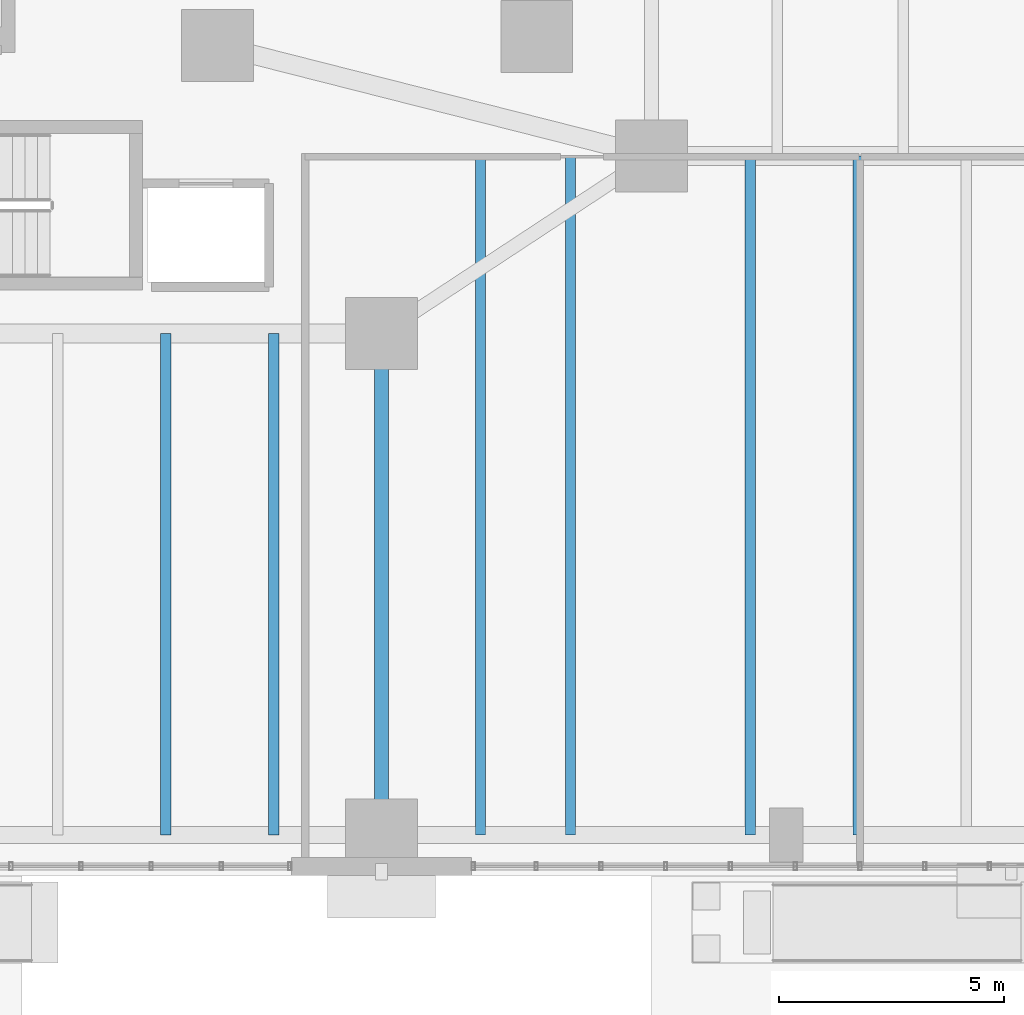
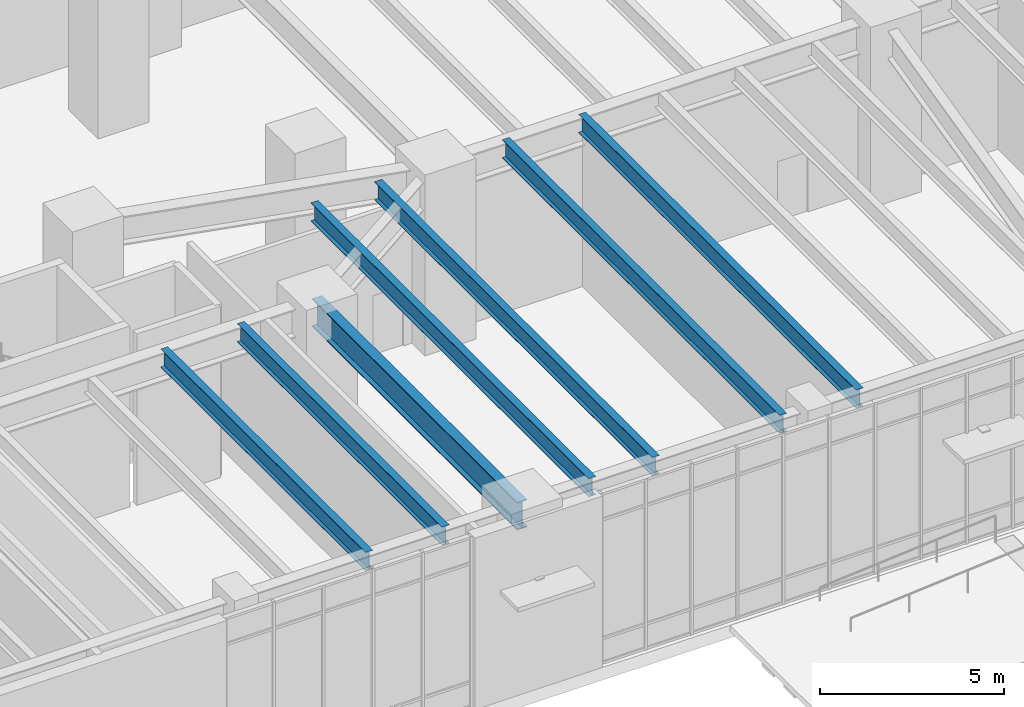
# One storey, part 6 of 28: 7 beams.
"""IFC4 building model written with IfcOpenShell, lengths in metres."""

from ifc_helpers import new_model, si_unit, direction, frame, origin, origin_2d, place, context, subcontext, project, spatial, i_section, extrude, material, material_profile, profile_set, type_object, element, save


model = new_model("IFC4")

# Units and contexts
model_context = context("Model", 3, precision=1e-05, world=origin(), true_north=direction((0.0, 1.0)))
body_context = subcontext(model_context, "Body", "Model", "MODEL_VIEW")
ifc_project = project(units=[si_unit("LENGTHUNIT", "METRE"), si_unit("AREAUNIT", "SQUARE_METRE"), si_unit("VOLUMEUNIT", "CUBIC_METRE"), si_unit("PLANEANGLEUNIT", "RADIAN"), si_unit("MASSUNIT", "GRAM", prefix="KILO"), si_unit("THERMODYNAMICTEMPERATUREUNIT", "KELVIN"), si_unit("POWERUNIT", "WATT")], contexts=[model_context])

# Site, building, storey
site_placement = place(None, origin())
site = spatial("IfcSite", under=ifc_project, at=site_placement, CompositionType="ELEMENT")
building_placement = place(site_placement, origin())
building = spatial("IfcBuilding", under=site, at=building_placement, Name="Skarre Station Tower", CompositionType="ELEMENT")
storey_placement = place(building_placement, origin())
storey = spatial("IfcBuildingStorey", under=building, at=storey_placement, Name="L01", CompositionType="ELEMENT", Elevation=0.0)

# Beams
ifc_material = material(Name="Steel ASTM A992 Grade 50", Category="steel")
ifc_material_profile_1 = material_profile(ifc_material, i_section(OverallWidth=0.30810546875, OverallDepth=0.927001953125, WebThickness=0.01904296875, FlangeThickness=0.031982421875, at=origin_2d()), Name="Steel ASTM A992 Grade 50")
ifc_profile_set_1 = profile_set([ifc_material_profile_1], Name="Steel ASTM A992 Grade 50")
beam_type_1 = type_object("IfcBeamType", Name="Steel Beam W36X194", PredefinedType="BEAM", material=ifc_profile_set_1)
beam_placement = place(storey_placement, frame((36.0, 0.89990234375, 5.22705078125), z_axis=(0.0, 1.0, 0.0), x_axis=(-1.0, 0.0, 0.0)))
element("IfcBeam", 1, at=beam_placement, inside=storey, type_object=beam_type_1, Name="L01 Concourse Transverse Girder NS3", PredefinedType="BEAM", context=body_context, shape_type="SweptSolid", body=[
    extrude(i_section(OverallWidth=0.30810546875, OverallDepth=0.927001953125, WebThickness=0.01904296875, FlangeThickness=0.031982421875, at=origin_2d()), origin(), (0.0, 0.0, 1.0), 11.150146484375),
])
ifc_material_profile_2 = material_profile(ifc_material, i_section(OverallWidth=0.22802734375, OverallDepth=0.60791015625, WebThickness=0.010986328125, FlangeThickness=0.01708984375, at=origin_2d()), Name="Steel ASTM A992 Grade 50")
ifc_profile_set_2 = profile_set([ifc_material_profile_2], Name="Steel ASTM A992 Grade 50")
beam_type_2 = type_object("IfcBeamType", Name="Steel Joist W24X76", PredefinedType="JOIST", material=ifc_profile_set_2)
for number, where, z_axis, x_axis, name in (
    (2, (31.199951171875, 0.89990234375, 5.385986328125), (0.0, 1.0, 0.0), (-1.0, 0.0, 0.0), "L01 South Bay Joist 12"),
    (3, (33.60009765625, 0.89990234375, 5.385986328125), (0.0, 1.0, 0.0), (-1.0, 0.0, 0.0), "L01 South Bay Joist 13"),
):
    element("IfcBeam", number, at=place(storey_placement, frame(where, z_axis=z_axis, x_axis=x_axis)), inside=storey, type_object=beam_type_2, Name=name, PredefinedType="JOIST", context=body_context, shape_type="SweptSolid", body=[
        extrude(i_section(OverallWidth=0.22802734375, OverallDepth=0.60791015625, WebThickness=0.010986328125, FlangeThickness=0.01708984375, at=origin_2d()), origin(), (0.0, 0.0, 1.0), 11.150146484375),
    ])
for number, where, z_axis, x_axis, name in (
    (4, (38.199951171875, 0.89990234375, 5.385986328125), (0.0, 1.0, 0.0), (-1.0, 0.0, 0.0), "L01 South Bay Joist 14"),
    (5, (40.199951171875, 0.89990234375, 5.385986328125), (0.0, 1.0, 0.0), (-1.0, 0.0, 0.0), "L01 South Bay Joist 15"),
    (6, (44.199951171875, 0.89990234375, 5.385986328125), (0.0, 1.0, 0.0), (-1.0, 0.0, 0.0), "L01 South Bay Joist 16"),
    (7, (46.60009765625, 0.89990234375, 5.385986328125), (0.0, 1.0, 0.0), (-1.0, 0.0, 0.0), "L01 South Bay Joist 17"),
):
    element("IfcBeam", number, at=place(storey_placement, frame(where, z_axis=z_axis, x_axis=x_axis)), inside=storey, type_object=beam_type_2, Name=name, PredefinedType="JOIST", context=body_context, shape_type="SweptSolid", body=[
        extrude(i_section(OverallWidth=0.22802734375, OverallDepth=0.60791015625, WebThickness=0.010986328125, FlangeThickness=0.01708984375, at=origin_2d()), origin(), (0.0, 0.0, 1.0), 15.10009765625),
    ])

save(model, "model.ifc")
